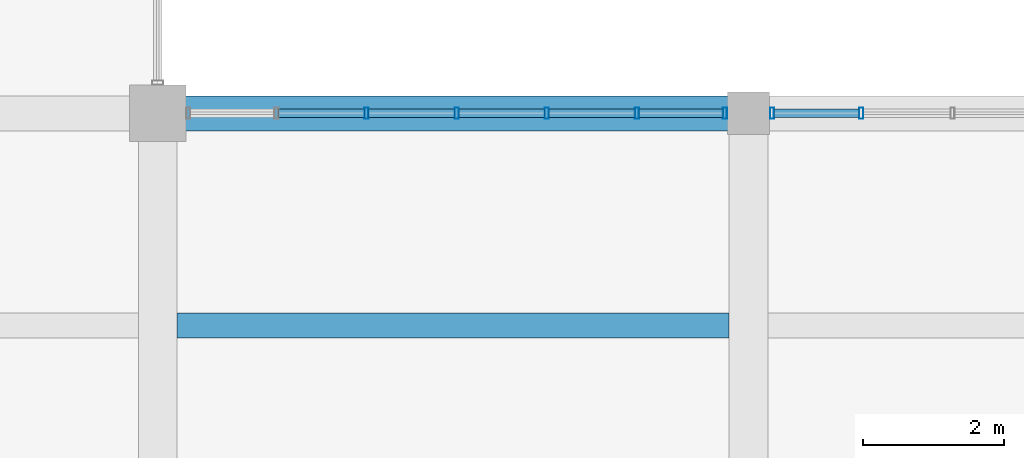
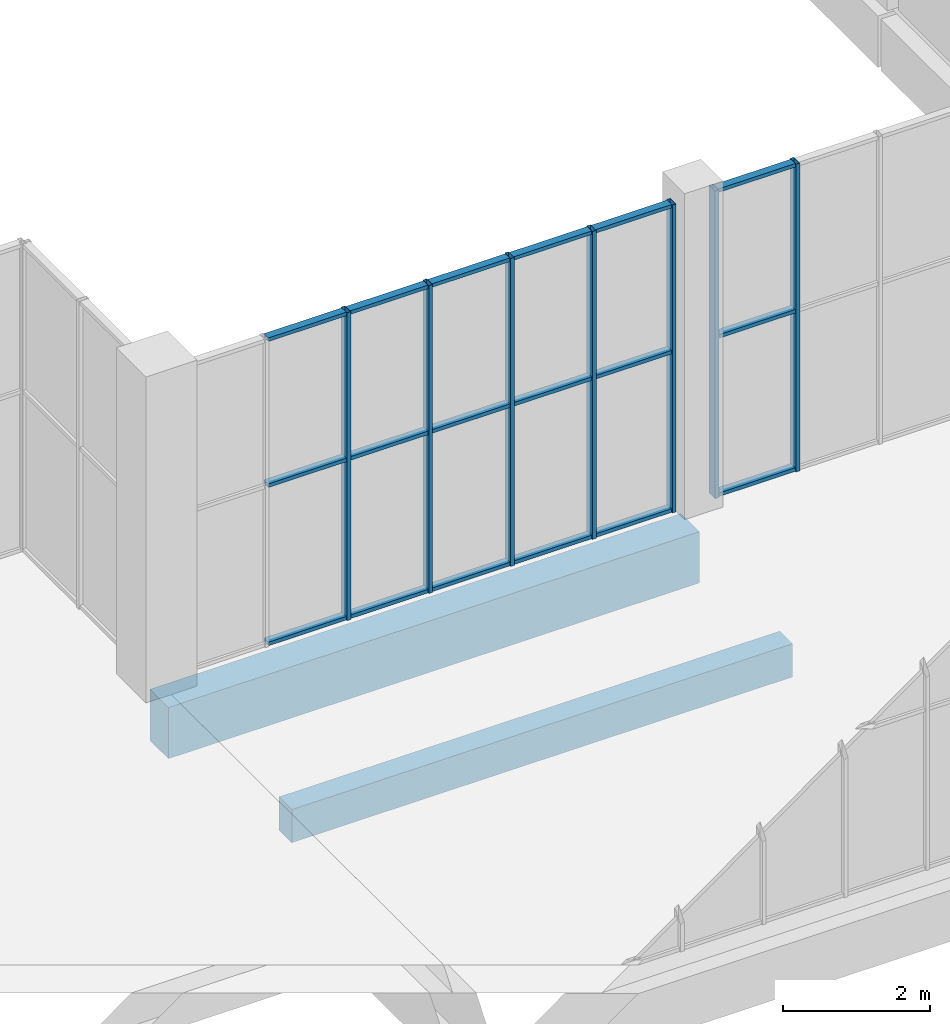
# One storey, part 41 of 132: 25 members, 2 beams, 2 elements without a shape of their own.
"""IFC4 building model written with IfcOpenShell, lengths in metres."""

import ifcopenshell
import ifcopenshell.guid

model = None  # the IFC model being written
_history = None  # IfcOwnerHistory: only IFC2X3 demands one
_inside = {}  # id of a spatial element -> (the spatial element, [elements in it])
_under = {}  # id of a project, library or spatial element -> (it, [spatial elements below it])
_declared = {}  # id of a project -> (the project, [libraries it declares])
_typed = {}  # id of a type object -> (the type object, [elements of that type])
_made_of = {}  # id of a material, layer set ... -> (it, [elements and type objects made of it])


def new_model(schema):
    """Start an empty IFC model of exactly this schema.

    Asked for "IFC4X3", IfcOpenShell would pick the latest addendum, in which some entities
    have other attributes; the version numbers below select the first issue.
    IFC2X3 requires an IfcOwnerHistory on every rooted entity: one is made here for all.
    """
    global model, _history
    if schema == "IFC4X3":
        model = ifcopenshell.file(schema_version=(4, 3, 0, 0))
    else:
        model = ifcopenshell.file(schema=schema)
    _inside.clear()
    _under.clear()
    _declared.clear()
    _typed.clear()
    _made_of.clear()
    _history = None
    if model.schema == "IFC2X3":
        org = make("IfcOrganization", Name="unknown")
        user = make(
            "IfcPersonAndOrganization",
            ThePerson=make("IfcPerson", FamilyName="unknown"),
            TheOrganization=org,
        )
        app = make(
            "IfcApplication",
            ApplicationDeveloper=org,
            Version="unknown",
            ApplicationFullName="unknown",
            ApplicationIdentifier="unknown",
        )
        _history = make(
            "IfcOwnerHistory",
            OwningUser=user,
            OwningApplication=app,
            ChangeAction="ADDED",
            CreationDate=0,
        )
    return model


def make(cls, **values):
    """One entity of the class cls with the attributes given. An attribute that is None is left unset."""
    return model.create_entity(
        cls, **{name: value for name, value in values.items() if value is not None}
    )


def rooted(cls, **values):
    """An entity with a GlobalId (a new one), such as an element, a storey or a relation."""
    return make(cls, GlobalId=ifcopenshell.guid.new(), OwnerHistory=_history, **values)


def si_unit(unit_type, name, prefix=None):
    """IfcSIUnit, for example si_unit("LENGTHUNIT", "METRE", prefix="MILLI")."""
    return make("IfcSIUnit", UnitType=unit_type, Prefix=prefix, Name=name)


def assignment(units):
    """IfcUnitAssignment: the units of a project."""
    return None if units is None else make("IfcUnitAssignment", Units=units)


def point(xyz):
    """IfcCartesianPoint."""
    return None if xyz is None else make("IfcCartesianPoint", Coordinates=xyz)


def direction(xyz):
    """IfcDirection."""
    return None if xyz is None else make("IfcDirection", DirectionRatios=xyz)


def frame(location, z_axis=None, x_axis=None):
    """IfcAxis2Placement3D, a coordinate frame: its origin and axes. An axis left out is left unset."""
    return make(
        "IfcAxis2Placement3D",
        Location=point(location),
        Axis=direction(z_axis),
        RefDirection=direction(x_axis),
    )


def frame_2d(location, x_axis=None):
    """IfcAxis2Placement2D, a coordinate frame in the plane: its origin and x axis."""
    return make(
        "IfcAxis2Placement2D", Location=point(location), RefDirection=direction(x_axis)
    )


def origin():
    """The frame at (0, 0, 0) with its axes left unset."""
    return frame((0.0, 0.0, 0.0))


def origin_2d():
    """The frame at (0, 0) in the plane with its x axis left unset."""
    return frame_2d((0.0, 0.0))


def place(relative_to, where):
    """IfcLocalPlacement: puts the frame where relative to a parent placement (None: the world)."""
    return make(
        "IfcLocalPlacement", PlacementRelTo=relative_to, RelativePlacement=where
    )


def context(
    kind, dimensions, precision=None, world=None, true_north=None, identifier=None
):
    """IfcGeometricRepresentationContext, for example the 3D "Model" context."""
    return make(
        "IfcGeometricRepresentationContext",
        ContextIdentifier=identifier,
        ContextType=kind,
        CoordinateSpaceDimension=dimensions,
        Precision=precision,
        WorldCoordinateSystem=world,
        TrueNorth=true_north,
    )


def subcontext(parent, identifier, kind, view, scale=None):
    """IfcGeometricRepresentationSubContext, for example "Body" below "Model"."""
    return make(
        "IfcGeometricRepresentationSubContext",
        ContextIdentifier=identifier,
        ContextType=kind,
        ParentContext=parent,
        TargetScale=scale,
        TargetView=view,
    )


def project(units=None, contexts=None):
    """IfcProject with its units and contexts."""
    return rooted(
        "IfcProject",
        Name="project",
        RepresentationContexts=contexts,
        UnitsInContext=assignment(units),
    )


def spatial(cls, under=None, at=None, **own):
    """A site, building, storey or space (cls), placed at a placement, below another one or the project."""
    s = rooted(cls, ObjectPlacement=at, **own)
    if under is not None:
        _under.setdefault(under.id(), (under, []))[1].append(s)
    return s


def profile(cls, at=None, kind="AREA", **sizes):
    """A parametric profile (cls). Its sizes go by their IFC names, for example OverallWidth=200.0."""
    return make(cls, ProfileType=kind, Position=at, **sizes)


def rectangle(**sizes):
    """IfcRectangleProfileDef."""
    return profile("IfcRectangleProfileDef", **sizes)


def hollow_rectangle(**sizes):
    """IfcRectangleHollowProfileDef."""
    return profile("IfcRectangleHollowProfileDef", **sizes)


def extrude(swept, where, along, depth):
    """IfcExtrudedAreaSolid: the profile swept, set in the frame where, extruded along a direction by depth."""
    return make(
        "IfcExtrudedAreaSolid",
        SweptArea=swept,
        Position=where,
        ExtrudedDirection=direction(along),
        Depth=depth,
    )


def shape(context_of_items, identifier, shape_type, items):
    """IfcShapeRepresentation: the items that make up one representation, for example the "Body"."""
    return make(
        "IfcShapeRepresentation",
        ContextOfItems=context_of_items,
        RepresentationIdentifier=identifier,
        RepresentationType=shape_type,
        Items=items,
    )


def material(Name=None, Category=None):
    """IfcMaterial."""
    return make("IfcMaterial", Name=Name, Category=Category)


def material_profile(
    of_material, cross_section, Name=None, Category=None, Priority=None
):
    """IfcMaterialProfile: a cross section and its material."""
    return make(
        "IfcMaterialProfile",
        Name=Name,
        Material=of_material,
        Profile=cross_section,
        Priority=Priority,
        Category=Category,
    )


def profile_set(profiles, Name=None, composite=None):
    """IfcMaterialProfileSet."""
    return make(
        "IfcMaterialProfileSet",
        Name=Name,
        MaterialProfiles=profiles,
        CompositeProfile=composite,
    )


def made_of(thing, what):
    """Note that an element or type object is made of a material, layer set ...; save() writes the relation."""
    if what is not None:
        _made_of.setdefault(what.id(), (what, []))[1].append(thing)
    return thing


def type_object(cls, material=None, **own):
    """A type object (cls), such as IfcWallType, which elements share."""
    return made_of(rooted(cls, **own), material)


def element(
    cls,
    number,
    at=None,
    inside=None,
    cuts=None,
    type_object=None,
    material=None,
    context=None,
    identifier="Body",
    shape_type=None,
    held_by="IfcProductDefinitionShape",
    body=None,
    shapes=None,
    **own,
):
    """One element of the class cls, such as IfcWall. Its Tag is "e" and its number.

    at: its placement. inside: the storey or other place that contains it. cuts: it is an
    opening in that element (IfcRelVoidsElement). A single representation is given by context,
    identifier, shape_type and body (its items); several are given by shapes. held_by: the class
    of the entity that holds the representations. save() writes the other relations.
    """
    e = rooted(cls, Tag="e%d" % number, ObjectPlacement=at, **own)
    if body is not None:
        shapes = [shape(context, identifier, shape_type, body)]
    if shapes is not None:
        e.Representation = make(held_by, Representations=shapes)
    if inside is not None:
        _inside.setdefault(inside.id(), (inside, []))[1].append(e)
    if cuts is not None:
        rooted(
            "IfcRelVoidsElement", RelatingBuildingElement=cuts, RelatedOpeningElement=e
        )
    if type_object is not None:
        _typed.setdefault(type_object.id(), (type_object, []))[1].append(e)
    return made_of(e, material)


def aggregate(whole, parts):
    """IfcRelAggregates: a whole, such as a stair, and the parts it consists of."""
    return rooted("IfcRelAggregates", RelatingObject=whole, RelatedObjects=parts)


def save(model, path):
    """Write the relations noted so far, then the file.

    IfcRelAggregates (storeys below a building ...), IfcRelContainedInSpatialStructure (elements
    in a storey), IfcRelDefinesByType, IfcRelAssociatesMaterial and IfcRelDeclares: one each for
    every whole, place, type object, material and project.
    """
    for whole, parts in _under.values():
        aggregate(whole, parts)
    for where, things in _inside.values():
        rooted(
            "IfcRelContainedInSpatialStructure",
            RelatedElements=things,
            RelatingStructure=where,
        )
    for kind, things in _typed.values():
        rooted("IfcRelDefinesByType", RelatedObjects=things, RelatingType=kind)
    for what, things in _made_of.values():
        rooted("IfcRelAssociatesMaterial", RelatedObjects=things, RelatingMaterial=what)
    for by, libraries in _declared.values():
        rooted("IfcRelDeclares", RelatingContext=by, RelatedDefinitions=libraries)
    model.write(path)


model = new_model("IFC4")

# Units and contexts
model_context = context("Model", 3, precision=1e-05, world=origin(), true_north=direction((0.0, 1.0)))
body_context = subcontext(model_context, "Body", "Model", "MODEL_VIEW")
ifc_project = project(units=[si_unit("LENGTHUNIT", "METRE"), si_unit("AREAUNIT", "SQUARE_METRE"), si_unit("VOLUMEUNIT", "CUBIC_METRE"), si_unit("PLANEANGLEUNIT", "RADIAN"), si_unit("MASSUNIT", "GRAM", prefix="KILO")], contexts=[model_context])

# Site, building, storey
site_placement = place(None, origin())
site = spatial("IfcSite", under=ifc_project, at=site_placement, CompositionType="ELEMENT")
building_placement = place(site_placement, origin())
building = spatial("IfcBuilding", under=site, at=building_placement, Name="Khurvash Pelagic Aquarium", CompositionType="ELEMENT")
storey_placement = place(building_placement, frame((0.0, 0.0, 5.39990234375)))
storey = spatial("IfcBuildingStorey", under=building, at=storey_placement, Name="L01", CompositionType="ELEMENT", Elevation=5.39990234375)

# Curtain wall, members
ifc_material_1 = material(Name="Anodised aluminium and low-E laminated glass", Category="aluminium")
curtain_wall_type = type_object("IfcCurtainWallType", Name="CW-05", PredefinedType="USERDEFINED", material=ifc_material_1)
curtain_wall_1_placement = place(storey_placement, origin())
curtain_wall_1 = element("IfcCurtainWall", 1, at=curtain_wall_1_placement, inside=storey, type_object=curtain_wall_type, Name="L01 Facade Unitised Curtain Wall CW-05 0144", ObjectType="UNITISED CURTAIN WALL", PredefinedType="USERDEFINED")
ifc_material_2 = material(Name="Extruded aluminium AW-6063-T6", Category="aluminium")
ifc_material_profile_1 = material_profile(ifc_material_2, hollow_rectangle(XDim=0.06005859375, YDim=0.159912109375, WallThickness=0.00390625, at=origin_2d()), Name="CWM60X160X4")
ifc_profile_set_1 = profile_set([ifc_material_profile_1], Name="Extruded aluminium AW-6063-T6")
member_type_1 = type_object("IfcMemberType", Name="CM-02", PredefinedType="MULLION", material=ifc_profile_set_1)
member_1_placement = place(storey_placement, frame((119.203369140625, 29.75, 0.0), z_axis=(0.0, 0.0, 1.0), x_axis=(-1.0, 0.0, 0.0)))
member_1 = element("IfcMember", 2, at=member_1_placement, type_object=member_type_1, Name="CW-05 mullion 6", PredefinedType="MULLION", context=body_context, shape_type="SweptSolid", body=[
    extrude(hollow_rectangle(XDim=0.06005859375, YDim=0.159912109375, WallThickness=0.00390625, at=origin_2d()), origin(), (0.0, 0.0, 1.0), 5.10009765625),
])
member_2_placement = place(storey_placement, frame((117.93505859375, 29.75, 0.0), z_axis=(0.0, 0.0, 1.0), x_axis=(-1.0, 0.0, 0.0)))
member_2 = element("IfcMember", 3, at=member_2_placement, type_object=member_type_1, Name="CW-05 mullion 7", PredefinedType="MULLION", context=body_context, shape_type="SweptSolid", body=[
    extrude(hollow_rectangle(XDim=0.06005859375, YDim=0.159912109375, WallThickness=0.00390625, at=origin_2d()), origin(), (0.0, 0.0, 1.0), 5.10009765625),
])

curtain_wall_2_placement = place(storey_placement, origin())
curtain_wall_2 = element("IfcCurtainWall", 4, at=curtain_wall_2_placement, inside=storey, type_object=curtain_wall_type, Name="L01 Facade Unitised Curtain Wall CW-05 0145", ObjectType="UNITISED CURTAIN WALL", PredefinedType="USERDEFINED")
member_3_placement = place(storey_placement, frame((117.264892578125, 29.75, 0.0), z_axis=(0.0, 0.0, 1.0), x_axis=(-1.0, 0.0, 0.0)))
member_3 = element("IfcMember", 5, at=member_3_placement, type_object=member_type_1, Name="CW-05 mullion 1", PredefinedType="MULLION", context=body_context, shape_type="SweptSolid", body=[
    extrude(hollow_rectangle(XDim=0.06005859375, YDim=0.159912109375, WallThickness=0.00390625, at=origin_2d()), origin(), (0.0, 0.0, 1.0), 5.10009765625),
])
member_4_placement = place(storey_placement, frame((116.013427734375, 29.75, 0.0), z_axis=(0.0, 0.0, 1.0), x_axis=(-1.0, 0.0, 0.0)))
member_4 = element("IfcMember", 6, at=member_4_placement, type_object=member_type_1, Name="CW-05 mullion 2", PredefinedType="MULLION", context=body_context, shape_type="SweptSolid", body=[
    extrude(hollow_rectangle(XDim=0.06005859375, YDim=0.159912109375, WallThickness=0.00390625, at=origin_2d()), origin(), (0.0, 0.0, 1.0), 5.10009765625),
])
member_5_placement = place(storey_placement, frame((114.731689453125, 29.75, 0.0), z_axis=(0.0, 0.0, 1.0), x_axis=(-1.0, 0.0, 0.0)))
member_5 = element("IfcMember", 7, at=member_5_placement, type_object=member_type_1, Name="CW-05 mullion 3", PredefinedType="MULLION", context=body_context, shape_type="SweptSolid", body=[
    extrude(hollow_rectangle(XDim=0.06005859375, YDim=0.159912109375, WallThickness=0.00390625, at=origin_2d()), origin(), (0.0, 0.0, 1.0), 5.10009765625),
])
member_6_placement = place(storey_placement, frame((113.449951171875, 29.75, 0.0), z_axis=(0.0, 0.0, 1.0), x_axis=(-1.0, 0.0, 0.0)))
member_6 = element("IfcMember", 8, at=member_6_placement, type_object=member_type_1, Name="CW-05 mullion 4", PredefinedType="MULLION", context=body_context, shape_type="SweptSolid", body=[
    extrude(hollow_rectangle(XDim=0.06005859375, YDim=0.159912109375, WallThickness=0.00390625, at=origin_2d()), origin(), (0.0, 0.0, 1.0), 5.10009765625),
])
member_7_placement = place(storey_placement, frame((112.168212890625, 29.75, 0.0), z_axis=(0.0, 0.0, 1.0), x_axis=(-1.0, 0.0, 0.0)))
member_7 = element("IfcMember", 9, at=member_7_placement, type_object=member_type_1, Name="CW-05 mullion 5", PredefinedType="MULLION", context=body_context, shape_type="SweptSolid", body=[
    extrude(hollow_rectangle(XDim=0.06005859375, YDim=0.159912109375, WallThickness=0.00390625, at=origin_2d()), origin(), (0.0, 0.0, 1.0), 5.10009765625),
])

# Member
ifc_material_profile_2 = material_profile(ifc_material_2, hollow_rectangle(XDim=0.1201171875, YDim=0.06005859375, WallThickness=0.00390625, at=origin_2d()), Name="CWT120X60X4")
ifc_profile_set_2 = profile_set([ifc_material_profile_2], Name="Extruded aluminium AW-6063-T6")
member_type_2 = type_object("IfcMemberType", Name="CT-02", PredefinedType="USERDEFINED", material=ifc_profile_set_2)
member_8_placement = place(storey_placement, frame((119.17333984375, 29.75, 0.030029296875), z_axis=(-1.0, 0.0, 0.0), x_axis=(0.0, -1.0, 0.0)))
member_8 = element("IfcMember", 10, at=member_8_placement, type_object=member_type_2, Name="CW-05 transom 6.1", ObjectType="TRANSOM", PredefinedType="USERDEFINED", context=body_context, shape_type="SweptSolid", body=[
    extrude(hollow_rectangle(XDim=0.1201171875, YDim=0.06005859375, WallThickness=0.00390625, at=origin_2d()), origin(), (0.0, 0.0, 1.0), 1.208251953125),
])

member_9_placement = place(storey_placement, frame((119.17333984375, 29.75, 2.652099609375), z_axis=(-1.0, 0.0, 0.0), x_axis=(0.0, -1.0, 0.0)))
member_9 = element("IfcMember", 11, at=member_9_placement, type_object=member_type_2, Name="CW-05 transom 6.2", ObjectType="TRANSOM", PredefinedType="USERDEFINED", context=body_context, shape_type="SweptSolid", body=[
    extrude(hollow_rectangle(XDim=0.1201171875, YDim=0.06005859375, WallThickness=0.00390625, at=origin_2d()), origin(), (0.0, 0.0, 1.0), 1.208251953125),
])

member_10_placement = place(storey_placement, frame((119.17333984375, 29.75, 5.070068359375), z_axis=(-1.0, 0.0, 0.0), x_axis=(0.0, -1.0, 0.0)))
member_10 = element("IfcMember", 12, at=member_10_placement, type_object=member_type_2, Name="CW-05 transom 6.3", ObjectType="TRANSOM", PredefinedType="USERDEFINED", context=body_context, shape_type="SweptSolid", body=[
    extrude(hollow_rectangle(XDim=0.1201171875, YDim=0.06005859375, WallThickness=0.00390625, at=origin_2d()), origin(), (0.0, 0.0, 1.0), 1.208251953125),
])

aggregate(curtain_wall_1, [member_1, member_2, member_8, member_9, member_10])

member_11_placement = place(storey_placement, frame((117.235107421875, 29.75, 0.030029296875), z_axis=(-1.0, 0.0, 0.0), x_axis=(0.0, -1.0, 0.0)))
member_11 = element("IfcMember", 13, at=member_11_placement, type_object=member_type_2, Name="CW-05 transom 1.1", ObjectType="TRANSOM", PredefinedType="USERDEFINED", context=body_context, shape_type="SweptSolid", body=[
    extrude(hollow_rectangle(XDim=0.1201171875, YDim=0.06005859375, WallThickness=0.00390625, at=origin_2d()), origin(), (0.0, 0.0, 1.0), 1.19189453125),
])

member_12_placement = place(storey_placement, frame((117.235107421875, 29.75, 2.652099609375), z_axis=(-1.0, 0.0, 0.0), x_axis=(0.0, -1.0, 0.0)))
member_12 = element("IfcMember", 14, at=member_12_placement, type_object=member_type_2, Name="CW-05 transom 1.2", ObjectType="TRANSOM", PredefinedType="USERDEFINED", context=body_context, shape_type="SweptSolid", body=[
    extrude(hollow_rectangle(XDim=0.1201171875, YDim=0.06005859375, WallThickness=0.00390625, at=origin_2d()), origin(), (0.0, 0.0, 1.0), 1.19189453125),
])

member_13_placement = place(storey_placement, frame((117.235107421875, 29.75, 5.070068359375), z_axis=(-1.0, 0.0, 0.0), x_axis=(0.0, -1.0, 0.0)))
member_13 = element("IfcMember", 15, at=member_13_placement, type_object=member_type_2, Name="CW-05 transom 1.3", ObjectType="TRANSOM", PredefinedType="USERDEFINED", context=body_context, shape_type="SweptSolid", body=[
    extrude(hollow_rectangle(XDim=0.1201171875, YDim=0.06005859375, WallThickness=0.00390625, at=origin_2d()), origin(), (0.0, 0.0, 1.0), 1.19189453125),
])

member_14_placement = place(storey_placement, frame((115.9833984375, 29.75, 0.030029296875), z_axis=(-1.0, 0.0, 0.0), x_axis=(0.0, -1.0, 0.0)))
member_14 = element("IfcMember", 16, at=member_14_placement, type_object=member_type_2, Name="CW-05 transom 2.1", ObjectType="TRANSOM", PredefinedType="USERDEFINED", context=body_context, shape_type="SweptSolid", body=[
    extrude(hollow_rectangle(XDim=0.1201171875, YDim=0.06005859375, WallThickness=0.00390625, at=origin_2d()), origin(), (0.0, 0.0, 1.0), 1.2216796875),
])

member_15_placement = place(storey_placement, frame((115.9833984375, 29.75, 2.652099609375), z_axis=(-1.0, 0.0, 0.0), x_axis=(0.0, -1.0, 0.0)))
member_15 = element("IfcMember", 17, at=member_15_placement, type_object=member_type_2, Name="CW-05 transom 2.2", ObjectType="TRANSOM", PredefinedType="USERDEFINED", context=body_context, shape_type="SweptSolid", body=[
    extrude(hollow_rectangle(XDim=0.1201171875, YDim=0.06005859375, WallThickness=0.00390625, at=origin_2d()), origin(), (0.0, 0.0, 1.0), 1.2216796875),
])

member_16_placement = place(storey_placement, frame((115.9833984375, 29.75, 5.070068359375), z_axis=(-1.0, 0.0, 0.0), x_axis=(0.0, -1.0, 0.0)))
member_16 = element("IfcMember", 18, at=member_16_placement, type_object=member_type_2, Name="CW-05 transom 2.3", ObjectType="TRANSOM", PredefinedType="USERDEFINED", context=body_context, shape_type="SweptSolid", body=[
    extrude(hollow_rectangle(XDim=0.1201171875, YDim=0.06005859375, WallThickness=0.00390625, at=origin_2d()), origin(), (0.0, 0.0, 1.0), 1.2216796875),
])

member_17_placement = place(storey_placement, frame((114.70166015625, 29.75, 0.030029296875), z_axis=(-1.0, 0.0, 0.0), x_axis=(0.0, -1.0, 0.0)))
member_17 = element("IfcMember", 19, at=member_17_placement, type_object=member_type_2, Name="CW-05 transom 3.1", ObjectType="TRANSOM", PredefinedType="USERDEFINED", context=body_context, shape_type="SweptSolid", body=[
    extrude(hollow_rectangle(XDim=0.1201171875, YDim=0.06005859375, WallThickness=0.00390625, at=origin_2d()), origin(), (0.0, 0.0, 1.0), 1.2216796875),
])

member_18_placement = place(storey_placement, frame((114.70166015625, 29.75, 2.652099609375), z_axis=(-1.0, 0.0, 0.0), x_axis=(0.0, -1.0, 0.0)))
member_18 = element("IfcMember", 20, at=member_18_placement, type_object=member_type_2, Name="CW-05 transom 3.2", ObjectType="TRANSOM", PredefinedType="USERDEFINED", context=body_context, shape_type="SweptSolid", body=[
    extrude(hollow_rectangle(XDim=0.1201171875, YDim=0.06005859375, WallThickness=0.00390625, at=origin_2d()), origin(), (0.0, 0.0, 1.0), 1.2216796875),
])

member_19_placement = place(storey_placement, frame((114.70166015625, 29.75, 5.070068359375), z_axis=(-1.0, 0.0, 0.0), x_axis=(0.0, -1.0, 0.0)))
member_19 = element("IfcMember", 21, at=member_19_placement, type_object=member_type_2, Name="CW-05 transom 3.3", ObjectType="TRANSOM", PredefinedType="USERDEFINED", context=body_context, shape_type="SweptSolid", body=[
    extrude(hollow_rectangle(XDim=0.1201171875, YDim=0.06005859375, WallThickness=0.00390625, at=origin_2d()), origin(), (0.0, 0.0, 1.0), 1.2216796875),
])

member_20_placement = place(storey_placement, frame((113.419921875, 29.75, 0.030029296875), z_axis=(-1.0, 0.0, 0.0), x_axis=(0.0, -1.0, 0.0)))
member_20 = element("IfcMember", 22, at=member_20_placement, type_object=member_type_2, Name="CW-05 transom 4.1", ObjectType="TRANSOM", PredefinedType="USERDEFINED", context=body_context, shape_type="SweptSolid", body=[
    extrude(hollow_rectangle(XDim=0.1201171875, YDim=0.06005859375, WallThickness=0.00390625, at=origin_2d()), origin(), (0.0, 0.0, 1.0), 1.2216796875),
])

member_21_placement = place(storey_placement, frame((113.419921875, 29.75, 2.652099609375), z_axis=(-1.0, 0.0, 0.0), x_axis=(0.0, -1.0, 0.0)))
member_21 = element("IfcMember", 23, at=member_21_placement, type_object=member_type_2, Name="CW-05 transom 4.2", ObjectType="TRANSOM", PredefinedType="USERDEFINED", context=body_context, shape_type="SweptSolid", body=[
    extrude(hollow_rectangle(XDim=0.1201171875, YDim=0.06005859375, WallThickness=0.00390625, at=origin_2d()), origin(), (0.0, 0.0, 1.0), 1.2216796875),
])

member_22_placement = place(storey_placement, frame((113.419921875, 29.75, 5.070068359375), z_axis=(-1.0, 0.0, 0.0), x_axis=(0.0, -1.0, 0.0)))
member_22 = element("IfcMember", 24, at=member_22_placement, type_object=member_type_2, Name="CW-05 transom 4.3", ObjectType="TRANSOM", PredefinedType="USERDEFINED", context=body_context, shape_type="SweptSolid", body=[
    extrude(hollow_rectangle(XDim=0.1201171875, YDim=0.06005859375, WallThickness=0.00390625, at=origin_2d()), origin(), (0.0, 0.0, 1.0), 1.2216796875),
])

member_23_placement = place(storey_placement, frame((112.138427734375, 29.75, 0.030029296875), z_axis=(-1.0, 0.0, 0.0), x_axis=(0.0, -1.0, 0.0)))
member_23 = element("IfcMember", 25, at=member_23_placement, type_object=member_type_2, Name="CW-05 transom 5.1", ObjectType="TRANSOM", PredefinedType="USERDEFINED", context=body_context, shape_type="SweptSolid", body=[
    extrude(hollow_rectangle(XDim=0.1201171875, YDim=0.06005859375, WallThickness=0.00390625, at=origin_2d()), origin(), (0.0, 0.0, 1.0), 1.2216796875),
])

member_24_placement = place(storey_placement, frame((112.138427734375, 29.75, 2.652099609375), z_axis=(-1.0, 0.0, 0.0), x_axis=(0.0, -1.0, 0.0)))
member_24 = element("IfcMember", 26, at=member_24_placement, type_object=member_type_2, Name="CW-05 transom 5.2", ObjectType="TRANSOM", PredefinedType="USERDEFINED", context=body_context, shape_type="SweptSolid", body=[
    extrude(hollow_rectangle(XDim=0.1201171875, YDim=0.06005859375, WallThickness=0.00390625, at=origin_2d()), origin(), (0.0, 0.0, 1.0), 1.2216796875),
])

member_25_placement = place(storey_placement, frame((112.138427734375, 29.75, 5.070068359375), z_axis=(-1.0, 0.0, 0.0), x_axis=(0.0, -1.0, 0.0)))
member_25 = element("IfcMember", 27, at=member_25_placement, type_object=member_type_2, Name="CW-05 transom 5.3", ObjectType="TRANSOM", PredefinedType="USERDEFINED", context=body_context, shape_type="SweptSolid", body=[
    extrude(hollow_rectangle(XDim=0.1201171875, YDim=0.06005859375, WallThickness=0.00390625, at=origin_2d()), origin(), (0.0, 0.0, 1.0), 1.2216796875),
])

aggregate(curtain_wall_2, [member_3, member_4, member_5, member_6, member_7, member_11, member_12, member_13, member_14, member_15, member_16, member_17, member_18, member_19, member_20, member_21, member_22, member_23, member_24, member_25])

# Beams
ifc_material_3 = material(Name="Concrete C35/45", Category="concrete")
ifc_material_profile_3 = material_profile(ifc_material_3, rectangle(XDim=0.35009765625, YDim=0.550048828125, at=origin_2d()), Name="RC350X550")
ifc_profile_set_3 = profile_set([ifc_material_profile_3], Name="Concrete C35/45")
beam_type_1 = type_object("IfcBeamType", Name="JS-01", PredefinedType="JOIST", material=ifc_profile_set_3)
beam_1_placement = place(storey_placement, frame((109.47509765625, 26.73291015625, -0.5849609375), z_axis=(1.0, 0.0, 0.0), x_axis=(0.0, 1.0, 0.0)))
element("IfcBeam", 28, at=beam_1_placement, inside=storey, type_object=beam_type_1, Name="L01 Floor Joist JS-01 00553", PredefinedType="JOIST", context=body_context, shape_type="SweptSolid", body=[
    extrude(rectangle(XDim=0.35009765625, YDim=0.550048828125, at=origin_2d()), origin(), (0.0, 0.0, 1.0), 7.849853515625),
])
ifc_material_4 = material(Name="Concrete C40/50", Category="concrete")
ifc_material_profile_4 = material_profile(ifc_material_4, rectangle(XDim=0.5, YDim=0.85009765625, at=origin_2d()), Name="RC500X850")
ifc_profile_set_4 = profile_set([ifc_material_profile_4], Name="Concrete C40/50")
beam_type_2 = type_object("IfcBeamType", Name="SEB-03", PredefinedType="SPANDREL", material=ifc_profile_set_4)
beam_2_placement = place(storey_placement, frame((109.239990234375, 29.75, -0.744873046875), z_axis=(1.0, 0.0, 0.0), x_axis=(0.0, 1.0, 0.0)))
element("IfcBeam", 29, at=beam_2_placement, inside=storey, type_object=beam_type_2, Name="L01 Primary Girder SEB-03 00287", PredefinedType="SPANDREL", context=body_context, shape_type="SweptSolid", body=[
    extrude(rectangle(XDim=0.5, YDim=0.85009765625, at=origin_2d()), origin(), (0.0, 0.0, 1.0), 8.320068359375),
])

save(model, "model.ifc")
